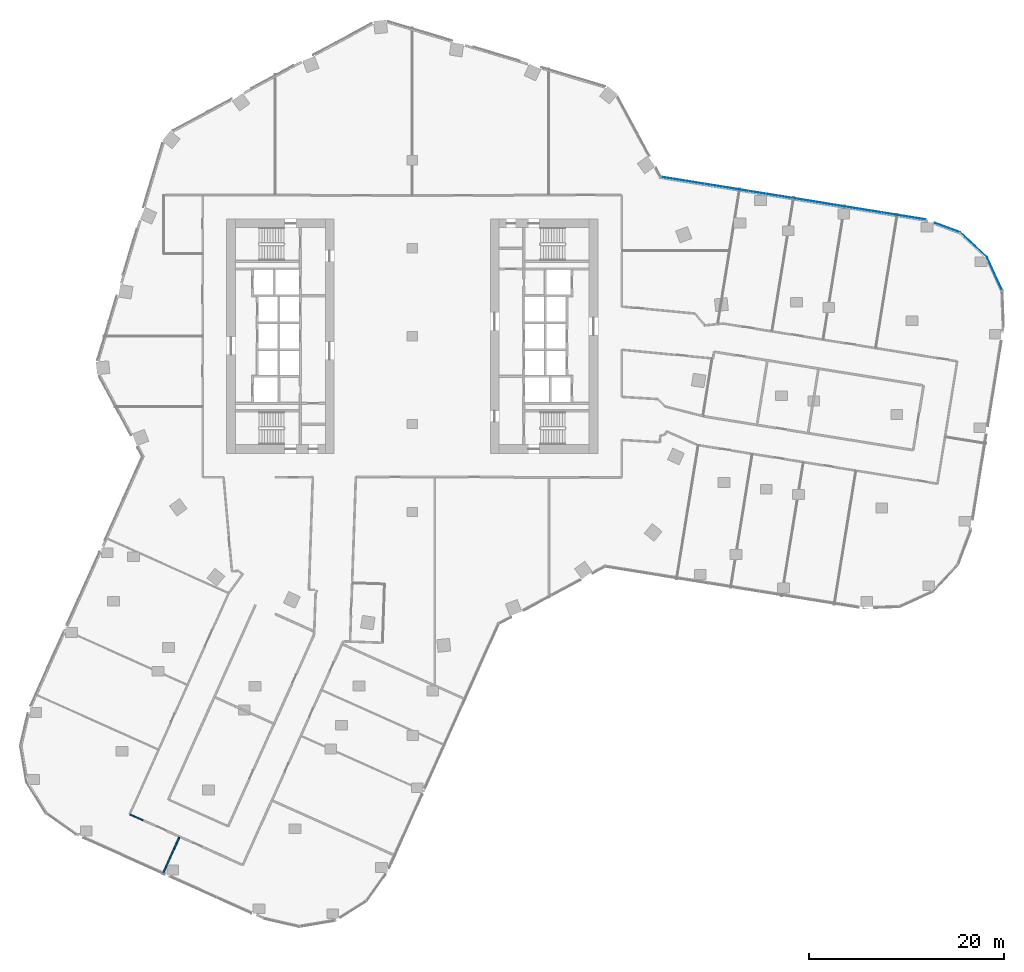
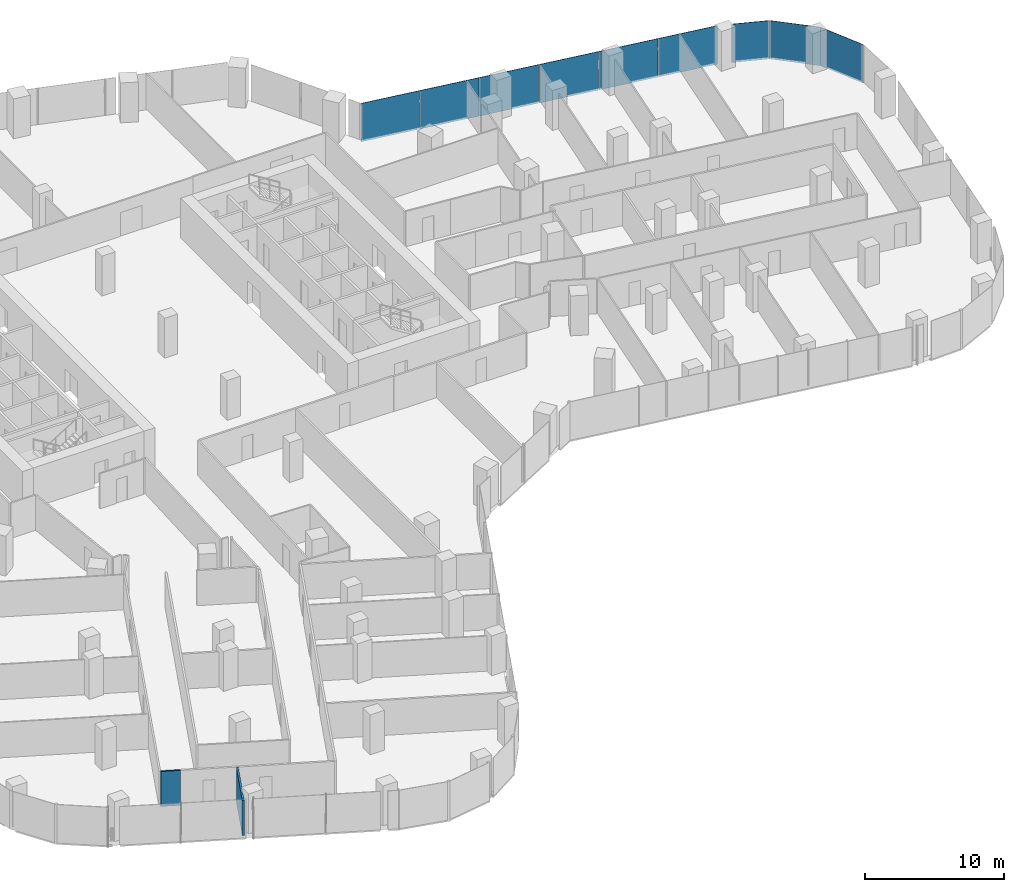
# One storey, part 24 of 34: 9 plates, 2 walls, 4 elements without a shape of their own.
"""IFC4 building model written with IfcOpenShell, lengths in metres."""

from ifc_helpers import new_model, si_unit, direction, frame, frame_2d, origin, origin_2d, place, context, subcontext, project, spatial, rectangle, extrude, material, layer, layer_set, type_object, element, aggregate, save


model = new_model("IFC4")

# Units and contexts
model_context = context("Model", 3, precision=1e-05, world=origin(), true_north=direction((0.0, 1.0)))
body_context = subcontext(model_context, "Body", "Model", "MODEL_VIEW")
ifc_project = project(units=[si_unit("LENGTHUNIT", "METRE"), si_unit("AREAUNIT", "SQUARE_METRE"), si_unit("VOLUMEUNIT", "CUBIC_METRE"), si_unit("PLANEANGLEUNIT", "RADIAN"), si_unit("MASSUNIT", "GRAM", prefix="KILO")], contexts=[model_context])

# Site, building, storey
site_placement = place(None, origin())
site = spatial("IfcSite", under=ifc_project, at=site_placement, CompositionType="ELEMENT")
building_placement = place(site_placement, origin())
building = spatial("IfcBuilding", under=site, at=building_placement, Name="Orlundy Tower", CompositionType="ELEMENT")
storey_placement = place(building_placement, frame((0.0, 0.0, 127.199951171875)))
storey = spatial("IfcBuildingStorey", under=building, at=storey_placement, Name="L32", CompositionType="ELEMENT", Elevation=127.199951171875)

# Curtain wall, plates
ifc_material_1 = material(Name="Aluminium bronze anodised", Category="aluminium")
curtain_wall_type = type_object("IfcCurtainWallType", Name="CW1 wall", PredefinedType="NOTDEFINED", material=ifc_material_1)
curtain_wall_1_placement = place(storey_placement, origin())
curtain_wall_1 = element("IfcCurtainWall", 1, at=curtain_wall_1_placement, inside=storey, type_object=curtain_wall_type, Name="CW1 run 06", PredefinedType="NOTDEFINED")
ifc_material_2 = material(Name="Tinted glass", Category="glass")
ifc_layer_1 = layer(ifc_material_2, 0.031982421875)
ifc_layer_set_1 = layer_set([ifc_layer_1], Name="CW1 glass panel 32")
plate_type = type_object("IfcPlateType", Name="CW1 glass panel 32", PredefinedType="CURTAIN_PANEL", material=ifc_layer_set_1)
plate_1_placement = place(storey_placement, frame((27.685791015625, 15.95703125, -0.27978515625), z_axis=(0.0, 0.0, 1.0), x_axis=(0.987229883184, -0.159302095871, 0.0)))
plate_1 = element("IfcPlate", 2, at=plate_1_placement, type_object=plate_type, Name="CW1 panel", PredefinedType="CURTAIN_PANEL", context=body_context, shape_type="SweptSolid", body=[
    extrude(rectangle(XDim=4.48291015625, YDim=0.031982421875, at=origin_2d()), origin(), (0.0, 0.0, 1.0), 3.3798828125),
])
plate_2_placement = place(storey_placement, frame((32.1884765625, 15.23046875, -0.27978515625), z_axis=(0.0, 0.0, 1.0), x_axis=(0.987229883184, -0.159302095871, 0.0)))
plate_2 = element("IfcPlate", 3, at=plate_2_placement, type_object=plate_type, Name="CW1 panel", PredefinedType="CURTAIN_PANEL", context=body_context, shape_type="SweptSolid", body=[
    extrude(rectangle(XDim=4.538818359375, YDim=0.031982421875, at=origin_2d()), origin(), (0.0, 0.0, 1.0), 3.3798828125),
])
plate_3_placement = place(storey_placement, frame((36.718505859375, 14.49951171875, -0.27978515625), z_axis=(0.0, 0.0, 1.0), x_axis=(0.987229883184, -0.159302095871, 0.0)))
plate_3 = element("IfcPlate", 4, at=plate_3_placement, type_object=plate_type, Name="CW1 panel", PredefinedType="CURTAIN_PANEL", context=body_context, shape_type="SweptSolid", body=[
    extrude(rectangle(XDim=4.538818359375, YDim=0.031982421875, at=origin_2d()), origin(), (0.0, 0.0, 1.0), 3.3798828125),
])
plate_4_placement = place(storey_placement, frame((41.248779296875, 13.768310546875, -0.27978515625), z_axis=(0.0, 0.0, 1.0), x_axis=(0.987229883184, -0.159302095871, 0.0)))
plate_4 = element("IfcPlate", 5, at=plate_4_placement, type_object=plate_type, Name="CW1 panel", PredefinedType="CURTAIN_PANEL", context=body_context, shape_type="SweptSolid", body=[
    extrude(rectangle(XDim=4.538818359375, YDim=0.031982421875, at=origin_2d()), origin(), (0.0, 0.0, 1.0), 3.3798828125),
])
plate_5_placement = place(storey_placement, frame((45.77880859375, 13.037353515625, -0.27978515625), z_axis=(0.0, 0.0, 1.0), x_axis=(0.987229883184, -0.159302095871, 0.0)))
plate_5 = element("IfcPlate", 6, at=plate_5_placement, type_object=plate_type, Name="CW1 panel", PredefinedType="CURTAIN_PANEL", context=body_context, shape_type="SweptSolid", body=[
    extrude(rectangle(XDim=4.538818359375, YDim=0.031982421875, at=origin_2d()), origin(), (0.0, 0.0, 1.0), 3.3798828125),
])
plate_6_placement = place(storey_placement, frame((50.31689453125, 12.30517578125, -0.27978515625), z_axis=(0.0, 0.0, 1.0), x_axis=(0.987229883184, -0.159302095871, 0.0)))
plate_6 = element("IfcPlate", 7, at=plate_6_placement, type_object=plate_type, Name="CW1 panel", PredefinedType="CURTAIN_PANEL", context=body_context, shape_type="SweptSolid", body=[
    extrude(rectangle(XDim=4.5546875, YDim=0.031982421875, at=origin_2d()), origin(), (0.0, 0.0, 1.0), 3.3798828125),
])
aggregate(curtain_wall_1, [plate_1, plate_2, plate_3, plate_4, plate_5, plate_6])

# Curtain wall, plate
curtain_wall_2_placement = place(storey_placement, origin())
curtain_wall_2 = element("IfcCurtainWall", 8, at=curtain_wall_2_placement, inside=storey, type_object=curtain_wall_type, Name="CW1 run 07", PredefinedType="NOTDEFINED")
plate_7_placement = place(storey_placement, frame((54.81201171875, 11.111083984375, -0.27978515625), z_axis=(0.0, 0.0, 1.0), x_axis=(0.937158252964, -0.348904584236, 0.0)))
plate_7 = element("IfcPlate", 9, at=plate_7_placement, type_object=plate_type, Name="CW1 panel", PredefinedType="CURTAIN_PANEL", context=body_context, shape_type="SweptSolid", body=[
    extrude(rectangle(XDim=2.767822265625, YDim=0.031982421875, at=origin_2d()), origin(), (0.0, 0.0, 1.0), 3.3798828125),
])
aggregate(curtain_wall_2, [plate_7])

curtain_wall_3_placement = place(storey_placement, origin())
curtain_wall_3 = element("IfcCurtainWall", 10, at=curtain_wall_3_placement, inside=storey, type_object=curtain_wall_type, Name="CW1 run 08", PredefinedType="NOTDEFINED")
plate_8_placement = place(storey_placement, frame((57.490234375, 9.343994140625, -0.27978515625), z_axis=(0.0, 0.0, 1.0), x_axis=(0.732399444763, -0.680875211262, 0.0)))
plate_8 = element("IfcPlate", 11, at=plate_8_placement, type_object=plate_type, Name="CW1 panel", PredefinedType="CURTAIN_PANEL", context=body_context, shape_type="SweptSolid", body=[
    extrude(rectangle(XDim=3.772216796875, YDim=0.031982421875, at=origin_2d()), origin(), (0.0, 0.0, 1.0), 3.3798828125),
])
aggregate(curtain_wall_3, [plate_8])

curtain_wall_4_placement = place(storey_placement, origin())
curtain_wall_4 = element("IfcCurtainWall", 12, at=curtain_wall_4_placement, inside=storey, type_object=curtain_wall_type, Name="CW1 run 09", PredefinedType="NOTDEFINED")
plate_9_placement = place(storey_placement, frame((59.65625, 6.3447265625, -0.27978515625), z_axis=(0.0, 0.0, 1.0), x_axis=(0.415976507053, -0.909375360113, 0.0)))
plate_9 = element("IfcPlate", 13, at=plate_9_placement, type_object=plate_type, Name="CW1 panel", PredefinedType="CURTAIN_PANEL", context=body_context, shape_type="SweptSolid", body=[
    extrude(rectangle(XDim=3.772216796875, YDim=0.031982421875, at=origin_2d()), origin(), (0.0, 0.0, 1.0), 3.3798828125),
])
aggregate(curtain_wall_4, [plate_9])

# Walls
ifc_material_3 = material(Name="Gypsum board partition, double layer")
ifc_layer_2 = layer(ifc_material_3, 0.125)
ifc_layer_set_2 = layer_set([ifc_layer_2], Name="Floor partition 125")
wall_type_1 = type_object("IfcWallType", Name="Floor partition 125", PredefinedType="PARTITIONING", material=ifc_layer_set_2)
wall_1_placement = place(storey_placement, frame((-28.867919921875, -48.97607421875, 0.0), z_axis=(0.0, 0.0, 1.0), x_axis=(0.912828249158, -0.4083437125, 0.0)))
element("IfcWall", 14, at=wall_1_placement, inside=storey, type_object=wall_type_1, Name="wall-int-L32-014", PredefinedType="PARTITIONING", context=body_context, shape_type="SweptSolid", body=[
    extrude(rectangle(XDim=1.437255859375, YDim=0.125, at=frame_2d((0.71875, 0.0))), origin(), (0.0, 0.0, 1.0), 3.080078125),
])
ifc_material_4 = material(Name="Blockwork shaft wall", Category="masonry")
ifc_layer_3 = layer(ifc_material_4, 0.14990234375)
ifc_layer_set_3 = layer_set([ifc_layer_3], Name="Floor shaft wall 150")
wall_type_2 = type_object("IfcWallType", Name="Floor shaft wall 150", PredefinedType="PARTITIONING", material=ifc_layer_set_3)
wall_2_placement = place(storey_placement, frame((-25.554931640625, -55.118896484375, 0.0), z_axis=(0.0, 0.0, 1.0), x_axis=(0.409369884525, 0.912368509783, 0.0)))
element("IfcWall", 15, at=wall_2_placement, inside=storey, type_object=wall_type_2, Name="wall-int-L32-053", PredefinedType="PARTITIONING", context=body_context, shape_type="SweptSolid", body=[
    extrude(rectangle(XDim=4.174560546875, YDim=0.14990234375, at=frame_2d((2.08740234375, 0.0))), origin(), (0.0, 0.0, 1.0), 3.080078125),
])

save(model, "model.ifc")
